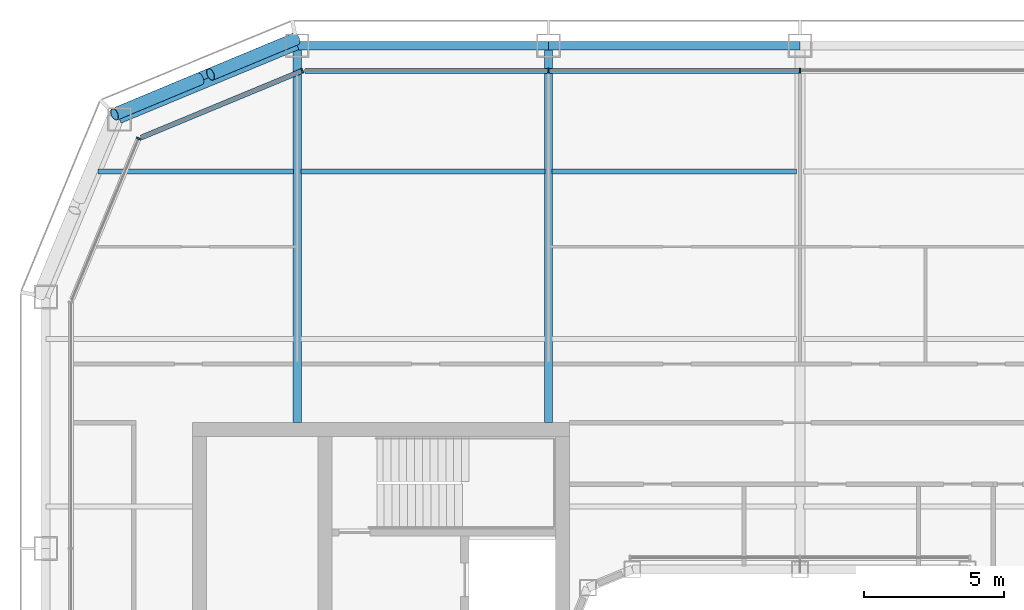
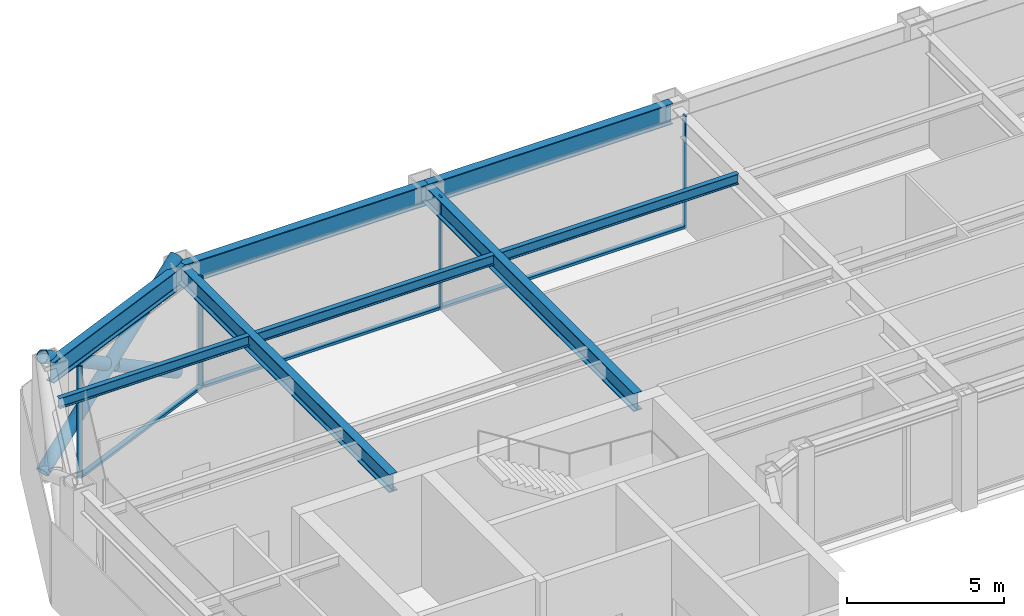
# One storey, part 8 of 19: 10 members, 8 beams, 3 elements without a shape of their own.
"""IFC4 building model written with IfcOpenShell, lengths in metres."""

from ifc_helpers import new_model, si_unit, direction, frame, origin, origin_2d, place, context, subcontext, project, spatial, rectangle, hollow_circle, i_section, extrude, material, layer, layer_set, material_profile, profile_set, type_object, element, aggregate, save


model = new_model("IFC4")

# Units and contexts
model_context = context("Model", 3, precision=1e-05, world=origin(), true_north=direction((0.0, 1.0)))
body_context = subcontext(model_context, "Body", "Model", "MODEL_VIEW")
ifc_project = project(units=[si_unit("LENGTHUNIT", "METRE"), si_unit("AREAUNIT", "SQUARE_METRE"), si_unit("VOLUMEUNIT", "CUBIC_METRE"), si_unit("PLANEANGLEUNIT", "RADIAN"), si_unit("MASSUNIT", "GRAM", prefix="KILO")], contexts=[model_context])

# Site, building, storey
site_placement = place(None, origin())
site = spatial("IfcSite", under=ifc_project, at=site_placement, CompositionType="ELEMENT")
building_placement = place(site_placement, origin())
building = spatial("IfcBuilding", under=site, at=building_placement, Name="Siwar Civic Tower", CompositionType="ELEMENT")
storey_placement = place(building_placement, frame((0.0, 0.0, 192.699951171875)))
storey = spatial("IfcBuildingStorey", under=building, at=storey_placement, Name="L41", CompositionType="ELEMENT", Elevation=192.699951171875)

# Curtain wall, members
ifc_material_1 = material(Name="Aluminium and glass", Category="aluminium")
ifc_layer_1 = layer(ifc_material_1, 0.179931640625)
ifc_layer_set_1 = layer_set([ifc_layer_1], Name="Aluminium and glass")
curtain_wall_type_1 = type_object("IfcCurtainWallType", Name="ENV-CW-C", PredefinedType="NOTDEFINED", material=ifc_layer_set_1)
curtain_wall_1_placement = place(storey_placement, origin())
curtain_wall_1 = element("IfcCurtainWall", 1, at=curtain_wall_1_placement, inside=storey, type_object=curtain_wall_type_1, Name="Curtain wall C N", PredefinedType="NOTDEFINED")
ifc_material_2 = material(Name="Aluminium 6063-T6", Category="aluminium")
ifc_material_profile_1 = material_profile(ifc_material_2, rectangle(XDim=0.179931640625, YDim=0.06005859375, at=origin_2d()), Name="AL 180x60")
ifc_profile_set_1 = profile_set([ifc_material_profile_1], Name="Aluminium 6063-T6")
member_type_1 = type_object("IfcMemberType", Name="ENV-MULLION-C", PredefinedType="MULLION", material=ifc_profile_set_1)
member_1_placement = place(storey_placement, frame((0.0, 26.10009765625, 0.0), z_axis=(0.0, 0.0, 1.0), x_axis=(0.0, -1.0, 0.0)))
member_1 = element("IfcMember", 2, at=member_1_placement, type_object=member_type_1, Name="Mullion C N 3", PredefinedType="MULLION", context=body_context, shape_type="SweptSolid", body=[
    extrude(rectangle(XDim=0.179931640625, YDim=0.06005859375, at=origin_2d()), origin(), (0.0, 0.0, 1.0), 4.35009765625),
])
member_2_placement = place(storey_placement, frame((-9.0, 26.10009765625, 0.0), z_axis=(0.0, 0.0, 1.0), x_axis=(0.0, -1.0, 0.0)))
member_2 = element("IfcMember", 3, at=member_2_placement, type_object=member_type_1, Name="Mullion C N 4", PredefinedType="MULLION", context=body_context, shape_type="SweptSolid", body=[
    extrude(rectangle(XDim=0.179931640625, YDim=0.06005859375, at=origin_2d()), origin(), (0.0, 0.0, 1.0), 4.35009765625),
])

# Curtain wall, member
ifc_material_3 = material(Name="Aluminium clad insulated panel", Category="aluminium")
ifc_layer_2 = layer(ifc_material_3, 0.179931640625)
ifc_layer_set_2 = layer_set([ifc_layer_2], Name="Aluminium clad insulated panel")
curtain_wall_type_2 = type_object("IfcCurtainWallType", Name="ENV-CW-CX", PredefinedType="NOTDEFINED", material=ifc_layer_set_2)
curtain_wall_2_placement = place(storey_placement, origin())
curtain_wall_2 = element("IfcCurtainWall", 4, at=curtain_wall_2_placement, inside=storey, type_object=curtain_wall_type_2, Name="Curtain wall C NW1", PredefinedType="NOTDEFINED")
member_3_placement = place(storey_placement, frame((-17.821044921875, 26.10009765625, 0.0), z_axis=(0.0, 0.0, 1.0), x_axis=(0.382683432365, -0.923879532511, 0.0)))
member_3 = element("IfcMember", 5, at=member_3_placement, type_object=member_type_1, Name="Mullion C NW1 1", PredefinedType="MULLION", context=body_context, shape_type="SweptSolid", body=[
    extrude(rectangle(XDim=0.179931640625, YDim=0.06005859375, at=origin_2d()), origin(), (0.0, 0.0, 1.0), 4.35009765625),
])

curtain_wall_3_placement = place(storey_placement, origin())
curtain_wall_3 = element("IfcCurtainWall", 6, at=curtain_wall_3_placement, inside=storey, type_object=curtain_wall_type_2, Name="Curtain wall C NW2", PredefinedType="NOTDEFINED")
member_4_placement = place(storey_placement, frame((-23.675048828125, 23.675048828125, 0.0), z_axis=(0.0, 0.0, 1.0), x_axis=(0.923879532511, -0.382683432365, 0.0)))
member_4 = element("IfcMember", 7, at=member_4_placement, type_object=member_type_1, Name="Mullion C NW2 1", PredefinedType="MULLION", context=body_context, shape_type="SweptSolid", body=[
    extrude(rectangle(XDim=0.179931640625, YDim=0.06005859375, at=origin_2d()), origin(), (0.0, 0.0, 1.0), 4.35009765625),
])
aggregate(curtain_wall_3, [member_4])

# Member
ifc_material_4 = material(Name="Aluminium 6063-T6", Category="aluminium")
ifc_material_profile_2 = material_profile(ifc_material_4, rectangle(XDim=0.179931640625, YDim=0.10009765625, at=origin_2d()), Name="AL 180x100")
ifc_profile_set_2 = profile_set([ifc_material_profile_2], Name="Aluminium 6063-T6")
member_type_2 = type_object("IfcMemberType", Name="ENV-TRANSOM-C", PredefinedType="USERDEFINED", material=ifc_profile_set_2)
member_5_placement = place(storey_placement, frame((-0.030029296875, 26.10009765625, 0.050048828125), z_axis=(-1.0, 0.0, 0.0), x_axis=(0.0, -1.0, 0.0)))
member_5 = element("IfcMember", 8, at=member_5_placement, type_object=member_type_2, Name="Transom C N 3", ObjectType="TRANSOM", PredefinedType="USERDEFINED", context=body_context, shape_type="SweptSolid", body=[
    extrude(rectangle(XDim=0.179931640625, YDim=0.10009765625, at=origin_2d()), origin(), (0.0, 0.0, 1.0), 8.93994140625),
])

member_6_placement = place(storey_placement, frame((-9.030029296875, 26.10009765625, 0.050048828125), z_axis=(-1.0, 0.0, 0.0), x_axis=(0.0, -1.0, 0.0)))
member_6 = element("IfcMember", 9, at=member_6_placement, type_object=member_type_2, Name="Transom C N 4", ObjectType="TRANSOM", PredefinedType="USERDEFINED", context=body_context, shape_type="SweptSolid", body=[
    extrude(rectangle(XDim=0.179931640625, YDim=0.10009765625, at=origin_2d()), origin(), (0.0, 0.0, 1.0), 8.68603515625),
])

aggregate(curtain_wall_1, [member_1, member_2, member_5, member_6])

member_7_placement = place(storey_placement, frame((-17.8486328125, 26.088623046875, 0.050048828125), z_axis=(-0.923882011223, -0.38267744817, 0.0), x_axis=(0.38267744817, -0.923882011223, 0.0)))
member_7 = element("IfcMember", 10, at=member_7_placement, type_object=member_type_2, Name="Transom C NW1 1", ObjectType="TRANSOM", PredefinedType="USERDEFINED", context=body_context, shape_type="SweptSolid", body=[
    extrude(rectangle(XDim=0.179931640625, YDim=0.10009765625, at=origin_2d()), origin(), (0.0, 0.0, 1.0), 6.201904296875),
])

aggregate(curtain_wall_2, [member_3, member_7])

# Members
ifc_material_5 = material(Name="Steel S355", Category="steel")
ifc_material_profile_3 = material_profile(ifc_material_5, hollow_circle(Radius=0.228515625, WallThickness=0.02001953125, at=origin_2d()), Name="CHS457x20")
ifc_profile_set_3 = profile_set([ifc_material_profile_3], Name="Steel S355")
member_type_3 = type_object("IfcMemberType", Name="STR-BR-CHS457x20", PredefinedType="BRACE", material=ifc_profile_set_3)
member_8_placement = place(storey_placement, frame((-24.540771484375, 24.540771484375, 0.0), z_axis=(0.777554562952, 0.323905527954, 0.538975055633), x_axis=(-0.384538969033, 0.923108759191, 0.0)))
element("IfcMember", 11, at=member_8_placement, inside=storey, type_object=member_type_3, Name="L41/brc/CNW1-1-0-0", PredefinedType="BRACE", context=body_context, shape_type="SweptSolid", body=[
    extrude(hollow_circle(Radius=0.228515625, WallThickness=0.02001953125, at=origin_2d()), origin(), (0.0, 0.0, 1.0), 8.34912109375),
])
for number, where, z_axis, x_axis, name in (
    (12, (-18.048828125, 27.2451171875, 0.0), (-0.777546448489, -0.323884455881, 0.538999424564), (0.38452107079, -0.92311621485, 0.0), "L41/brc/CNW1-1-0-4"),
    (13, (-21.486572265625, 25.81298828125, 2.383056640625), (-0.777572496853, -0.323895306243, 0.538955325357), (0.38452107079, -0.92311621485, 0.0), "L41/brc/CNW1-1-0-5"),
):
    element("IfcMember", number, at=place(storey_placement, frame(where, z_axis=z_axis, x_axis=x_axis)), inside=storey, type_object=member_type_3, Name=name, PredefinedType="BRACE", context=body_context, shape_type="SweptSolid", body=[
        extrude(hollow_circle(Radius=0.228515625, WallThickness=0.02001953125, at=origin_2d()), origin(), (0.0, 0.0, 1.0), 3.927978515625),
    ])

# Beams
ifc_material_6 = material(Name="Steel S355", Category="steel")
ifc_material_profile_4 = material_profile(ifc_material_6, i_section(OverallWidth=0.179931640625, OverallDepth=0.39990234375, WebThickness=0.008544921875, FlangeThickness=0.013427734375, FilletRadius=0.02099609375, at=origin_2d()), Name="IPE400")
ifc_profile_set_4 = profile_set([ifc_material_profile_4], Name="Steel S355")
beam_type_1 = type_object("IfcBeamType", Name="STR-FB-IPE400", PredefinedType="JOIST", material=ifc_profile_set_4)
beam_1_placement = place(storey_placement, frame((-25.135986328125, 22.5, 4.150146484375), z_axis=(1.0, 0.0, 0.0), x_axis=(0.0, 1.0, 0.0)))
element("IfcBeam", 14, at=beam_1_placement, inside=storey, type_object=beam_type_1, Name="L41/bm/F037", PredefinedType="JOIST", context=body_context, shape_type="SweptSolid", body=[
    extrude(i_section(OverallWidth=0.179931640625, OverallDepth=0.39990234375, WebThickness=0.008544921875, FlangeThickness=0.013427734375, FilletRadius=0.02099609375, at=origin_2d()), origin(), (0.0, 0.0, 1.0), 7.006103515625),
])
for number, where, z_axis, x_axis, name in (
    (15, (-17.8701171875, 22.5, 4.150146484375), (1.0, 0.0, 0.0), (0.0, 1.0, 0.0), "L41/bm/F038"),
    (16, (-8.8701171875, 22.5, 4.150146484375), (1.0, 0.0, 0.0), (0.0, 1.0, 0.0), "L41/bm/F039"),
):
    element("IfcBeam", number, at=place(storey_placement, frame(where, z_axis=z_axis, x_axis=x_axis)), inside=storey, type_object=beam_type_1, Name=name, PredefinedType="JOIST", context=body_context, shape_type="SweptSolid", body=[
        extrude(i_section(OverallWidth=0.179931640625, OverallDepth=0.39990234375, WebThickness=0.008544921875, FlangeThickness=0.013427734375, FilletRadius=0.02099609375, at=origin_2d()), origin(), (0.0, 0.0, 1.0), 8.740234375),
    ])
ifc_material_7 = material(Name="Steel S355", Category="steel")
ifc_material_profile_5 = material_profile(ifc_material_7, i_section(OverallWidth=0.300048828125, OverallDepth=0.699951171875, WebThickness=0.01708984375, FlangeThickness=0.031982421875, FilletRadius=0.027099609375, at=origin_2d()), Name="HEB700")
ifc_profile_set_5 = profile_set([ifc_material_profile_5], Name="Steel S355")
beam_type_2 = type_object("IfcBeamType", Name="STR-PG-HEB700", PredefinedType="BEAM", material=ifc_profile_set_5)
for number, where, z_axis, x_axis, name in (
    (17, (-18.0, 13.5, 4.0), (0.0, 1.0, 0.0), (-1.0, 0.0, 0.0), "L41/bm/G02"),
    (18, (-9.0, 13.5, 4.0), (0.0, 1.0, 0.0), (-1.0, 0.0, 0.0), "L41/bm/G04"),
):
    element("IfcBeam", number, at=place(storey_placement, frame(where, z_axis=z_axis, x_axis=x_axis)), inside=storey, type_object=beam_type_2, Name=name, PredefinedType="BEAM", context=body_context, shape_type="SweptSolid", body=[
        extrude(i_section(OverallWidth=0.300048828125, OverallDepth=0.699951171875, WebThickness=0.01708984375, FlangeThickness=0.031982421875, FilletRadius=0.027099609375, at=origin_2d()), origin(), (0.0, 0.0, 1.0), 13.5),
    ])
ifc_material_8 = material(Name="Steel S355", Category="steel")
ifc_material_profile_6 = material_profile(ifc_material_8, i_section(OverallWidth=0.300048828125, OverallDepth=0.800048828125, WebThickness=0.017578125, FlangeThickness=0.032958984375, FilletRadius=0.030029296875, at=origin_2d()), Name="HEB800")
ifc_profile_set_6 = profile_set([ifc_material_profile_6], Name="Steel S355")
beam_type_3 = type_object("IfcBeamType", Name="STR-SB-HEB800", PredefinedType="BEAM", material=ifc_profile_set_6)
for number, where, z_axis, x_axis, name in (
    (19, (0.0, 27.0, 3.949951171875), (-1.0, 0.0, 0.0), (0.0, -1.0, 0.0), "L41/bm/SN-2"),
    (20, (-9.0, 27.0, 3.949951171875), (-1.0, 0.0, 0.0), (0.0, -1.0, 0.0), "L41/bm/SN-3"),
):
    element("IfcBeam", number, at=place(storey_placement, frame(where, z_axis=z_axis, x_axis=x_axis)), inside=storey, type_object=beam_type_3, Name=name, PredefinedType="BEAM", context=body_context, shape_type="SweptSolid", body=[
        extrude(i_section(OverallWidth=0.300048828125, OverallDepth=0.800048828125, WebThickness=0.017578125, FlangeThickness=0.032958984375, FilletRadius=0.030029296875, at=origin_2d()), origin(), (0.0, 0.0, 1.0), 9.0),
    ])
beam_2_placement = place(storey_placement, frame((-18.0, 27.0, 3.949951171875), z_axis=(-0.923883353507, -0.382674207535, 0.0), x_axis=(0.382674207535, -0.923883353507, 0.0)))
element("IfcBeam", 21, at=beam_2_placement, inside=storey, type_object=beam_type_3, Name="L41/bm/SNW1-0", PredefinedType="BEAM", context=body_context, shape_type="SweptSolid", body=[
    extrude(i_section(OverallWidth=0.300048828125, OverallDepth=0.800048828125, WebThickness=0.017578125, FlangeThickness=0.032958984375, FilletRadius=0.030029296875, at=origin_2d()), origin(), (0.0, 0.0, 1.0), 6.888427734375),
])

save(model, "model.ifc")
